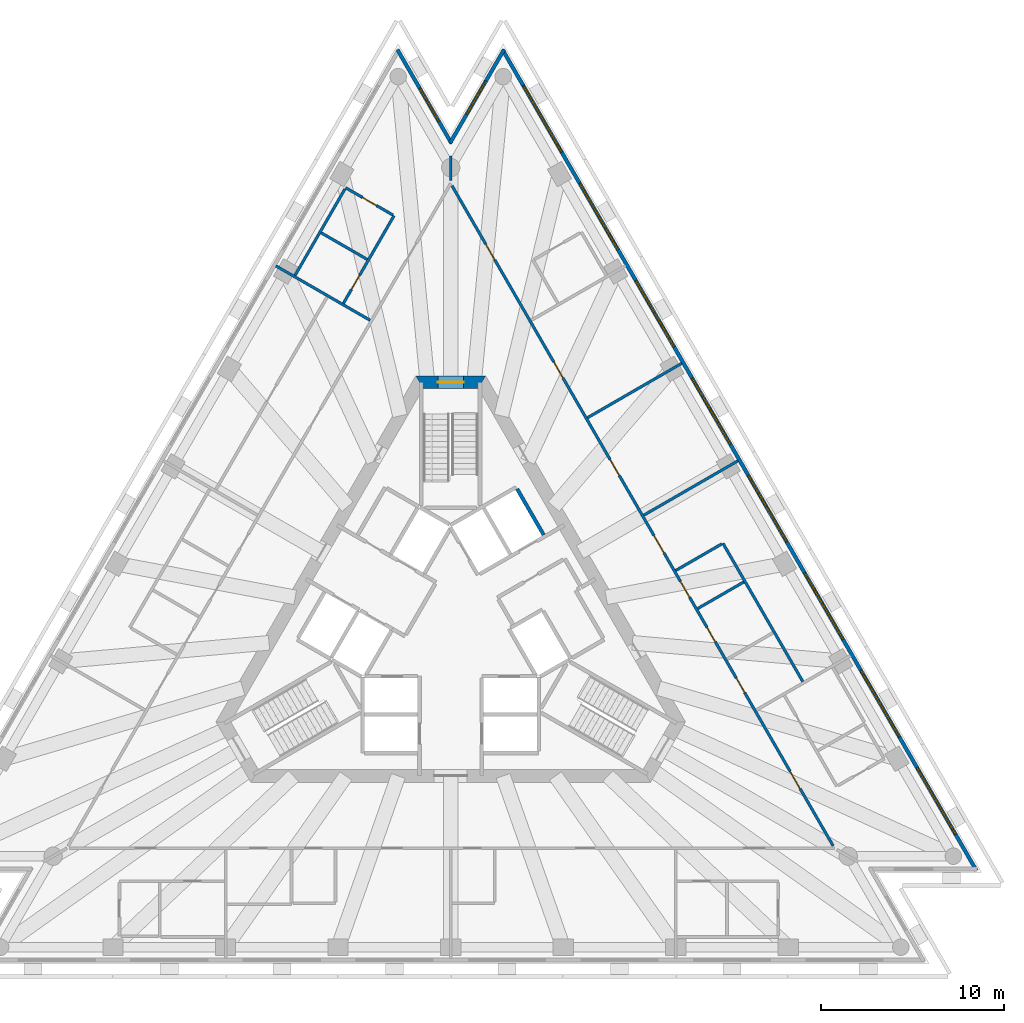
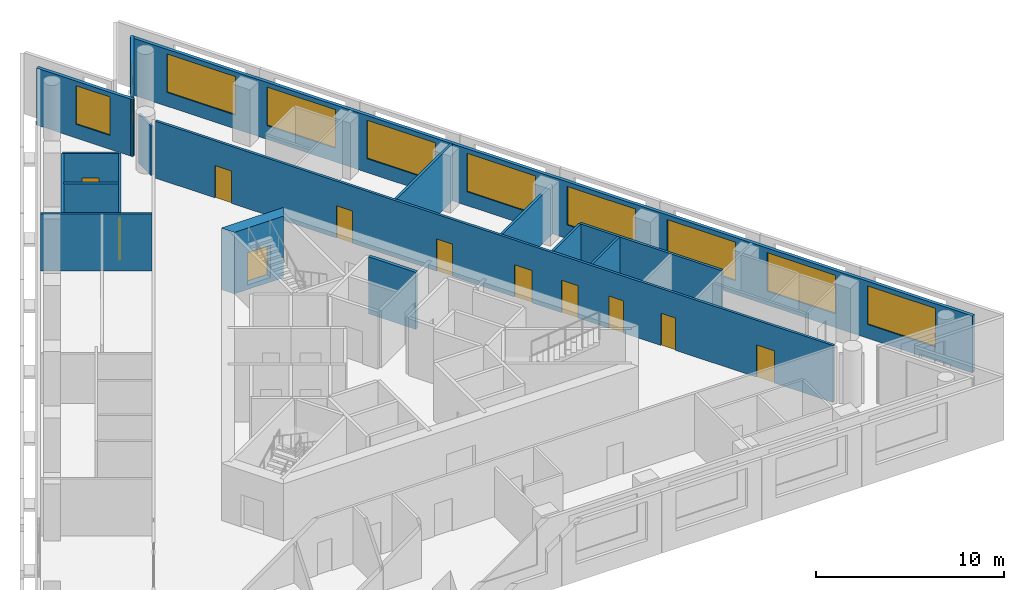
# One storey, part 6 of 9: 17 walls, 11 doors, 10 windows, 21 openings.
"""IFC4 building model written with IfcOpenShell, lengths in metres."""

from ifc_helpers import new_model, si_unit, direction, frame, frame_2d, origin, place, context, subcontext, project, spatial, polyline, rectangle, outline, extrude, material, layer, layer_set, layer_usage, type_object, element, fill, save


model = new_model("IFC4")

# Units and contexts
model_context = context("Model", 3, precision=1e-05, world=origin(), true_north=direction((0.0, 1.0)))
body_context = subcontext(model_context, "Body", "Model", "MODEL_VIEW")
ifc_project = project(units=[si_unit("LENGTHUNIT", "METRE"), si_unit("AREAUNIT", "SQUARE_METRE"), si_unit("VOLUMEUNIT", "CUBIC_METRE"), si_unit("PLANEANGLEUNIT", "RADIAN"), si_unit("MASSUNIT", "GRAM", prefix="KILO")], contexts=[model_context])

# Site, building, storey
site_placement = place(None, origin())
site = spatial("IfcSite", under=ifc_project, at=site_placement, CompositionType="ELEMENT")
building_placement = place(site_placement, origin())
building = spatial("IfcBuilding", under=site, at=building_placement, Name="Triada Interchange Tower", CompositionType="ELEMENT")
storey_placement = place(building_placement, frame((0.0, 0.0, 211.300048828125)))
storey = spatial("IfcBuildingStorey", under=building, at=storey_placement, Name="L49", CompositionType="ELEMENT", Elevation=211.300048828125)

# Wall
ifc_material_1 = material(Name="Concrete C30/37", Category="concrete")
ifc_layer_1 = layer(ifc_material_1, 0.199951171875)
ifc_layer_set_1 = layer_set([ifc_layer_1], Name="CORE WALL 200 EI 120")
wall_type_1 = type_object("IfcWallType", Name="CORE WALL 200 EI 120", PredefinedType="SOLIDWALL", material=ifc_layer_set_1)
wall_1_placement = place(storey_placement, frame((3.6259765625, 7.52001953125, 0.0), z_axis=(0.0, 0.0, 1.0), x_axis=(0.500060147554, -0.865990674793, 0.0)))
element("IfcWall", 1, at=wall_1_placement, inside=storey, type_object=wall_type_1, Name="Wall L47 71", PredefinedType="SOLIDWALL", context=body_context, shape_type="SweptSolid", body=[
    extrude(rectangle(XDim=2.899658203125, YDim=0.199951171875, at=frame_2d((1.44970703125, 0.0))), origin(), (0.0, 0.0, 1.0), 3.699951171875),
])

# Wall, opening, door
ifc_material_2 = material(Name="Concrete C50/60", Category="concrete")
ifc_layer_2 = layer(ifc_material_2, 0.699951171875)
ifc_layer_set_2 = layer_set([ifc_layer_2], Name="Core wall C 700")
wall_type_2 = type_object("IfcWallType", Name="Core wall C 700", PredefinedType="SHEAR", material=ifc_layer_set_2)
wall_2_placement = place(storey_placement, frame((1.702880859375, 13.35009765625, -0.300048828125), z_axis=(0.0, 0.0, 1.0), x_axis=(-1.0, 0.0, 0.0)))
wall_2 = element("IfcWall", 2, at=wall_2_placement, inside=storey, type_object=wall_type_2, Name="Core wall WC01 L49", PredefinedType="SHEAR", context=body_context, shape_type="SweptSolid", body=[
    extrude(outline(polyline([(-0.201904296875, -0.35009765625), (1.703125, -0.35009765625), (3.60791015625, -0.35009765625), (3.2041015625, 0.35009765625), (1.703125, 0.35009765625), (0.201904296875, 0.35009765625), (-0.201904296875, -0.35009765625)])), origin(), (0.0, 0.0, 1.0), 4.0),
])
opening_1_placement = place(wall_2_placement, frame((1.0029296875, 0.0, 0.300048828125)))
opening_1 = element("IfcOpeningElement", 3, at=opening_1_placement, cuts=wall_2, Name="Opening D47-44", PredefinedType="OPENING", context=body_context, shape_type="SweptSolid", body=[
    extrude(rectangle(XDim=1.39990234375, YDim=2.10009765625, at=frame_2d((0.699951171875, 1.050048828125))), frame((0.0, 0.360107421875, 0.0), z_axis=(0.0, -1.0, 0.0), x_axis=(1.0, 0.0, 0.0)), (0.0, 0.0, 1.0), 0.72021484375),
])
ifc_material_3 = material(Name="Steel S235 door leaf", Category="steel")
door_type_1 = type_object("IfcDoorType", Name="STAIR DOOR 1400 EI2 90-C5S200", OperationType="DOUBLE_DOOR_SINGLE_SWING", PredefinedType="DOOR", material=ifc_material_3)
door_1_placement = place(opening_1_placement, origin())
door_1 = element("IfcDoor", 4, at=door_1_placement, inside=storey, type_object=door_type_1, Name="Door D47-44 L49", OperationType="DOUBLE_DOOR_SINGLE_SWING", OverallHeight=2.10009765625, OverallWidth=1.39990234375, PredefinedType="DOOR", context=body_context, shape_type="SweptSolid", body=[
    extrude(rectangle(XDim=1.39990234375, YDim=2.10009765625, at=frame_2d((0.699951171875, 1.050048828125))), frame((0.0, 0.02490234375, 0.0), z_axis=(0.0, -1.0, 0.0), x_axis=(1.0, 0.0, 0.0)), (0.0, 0.0, 1.0), 0.050048828125),
])
fill(opening_1, door_1)

# Wall, openings, windows
ifc_material_4 = material(Name="Cement board")
ifc_layer_3 = layer(ifc_material_4, 0.02001953125, Name="Cement board cladding")
ifc_material_5 = material(Name="Sheathing board")
ifc_layer_4 = layer(ifc_material_5, 0.014892578125, Name="Sheathing board")
ifc_material_6 = material(Name="Mineral wool")
ifc_layer_5 = layer(ifc_material_6, 0.14990234375, Name="Mineral wool between steel studs")
ifc_material_7 = material(Name="Gypsum board")
ifc_layer_6 = layer(ifc_material_7, 0.014892578125, Name="Plasterboard lining")
ifc_layer_set_3 = layer_set([ifc_layer_3, ifc_layer_4, ifc_layer_5, ifc_layer_6], Name="External wall 200")
ifc_layer_usage = layer_usage(ifc_layer_set_3, "AXIS2", "POSITIVE", -0.10009765625)
wall_type_3 = type_object("IfcWallType", Name="External wall 200", PredefinedType="ELEMENTEDWALL", material=ifc_layer_set_3)
wall_3_placement = place(storey_placement, frame((28.7041015625, -13.31103515625, 0.0), z_axis=(0.0, 0.0, 1.0), x_axis=(-0.500010281129, 0.866019467891, 0.0)))
wall_3 = element("IfcWall", 5, at=wall_3_placement, inside=storey, type_object=wall_type_3, material=ifc_layer_usage, Name="External wall L49 NE", PredefinedType="ELEMENTEDWALL", context=body_context, shape_type="SweptSolid", body=[
    extrude(rectangle(XDim=51.7392578125, YDim=0.199951171875, at=frame_2d((25.86962890625, 0.0))), origin(), (0.0, 0.0, 1.0), 3.699951171875),
])
opening_2_placement = place(wall_3_placement, frame((2.27490234375, 0.0, 0.89990234375)))
opening_2 = element("IfcOpeningElement", 6, at=opening_2_placement, cuts=wall_3, Name="Opening WC21", PredefinedType="OPENING", context=body_context, shape_type="SweptSolid", body=[
    extrude(rectangle(XDim=4.199951171875, YDim=2.5, at=frame_2d((2.10009765625, 1.25))), frame((0.0, 0.10986328125, 0.0), z_axis=(0.0, -1.0, 0.0), x_axis=(1.0, 0.0, 0.0)), (0.0, 0.0, 1.0), 0.219970703125),
])
opening_3_placement = place(wall_3_placement, frame((8.4189453125, 0.0, 0.89990234375)))
opening_3 = element("IfcOpeningElement", 7, at=opening_3_placement, cuts=wall_3, Name="Opening WC22", PredefinedType="OPENING", context=body_context, shape_type="SweptSolid", body=[
    extrude(rectangle(XDim=4.199951171875, YDim=2.5, at=frame_2d((2.10009765625, 1.25))), frame((0.0, 0.10986328125, 0.0), z_axis=(0.0, -1.0, 0.0), x_axis=(1.0, 0.0, 0.0)), (0.0, 0.0, 1.0), 0.219970703125),
])
opening_4_placement = place(wall_3_placement, frame((14.56298828125, 0.0, 0.89990234375)))
opening_4 = element("IfcOpeningElement", 8, at=opening_4_placement, cuts=wall_3, Name="Opening WC23", PredefinedType="OPENING", context=body_context, shape_type="SweptSolid", body=[
    extrude(rectangle(XDim=4.199951171875, YDim=2.5, at=frame_2d((2.10009765625, 1.25))), frame((0.0, 0.10986328125, 0.0), z_axis=(0.0, -1.0, 0.0), x_axis=(1.0, 0.0, 0.0)), (0.0, 0.0, 1.0), 0.219970703125),
])
opening_5_placement = place(wall_3_placement, frame((20.70703125, 0.0, 0.89990234375)))
opening_5 = element("IfcOpeningElement", 9, at=opening_5_placement, cuts=wall_3, Name="Opening WC24", PredefinedType="OPENING", context=body_context, shape_type="SweptSolid", body=[
    extrude(rectangle(XDim=4.199951171875, YDim=2.5, at=frame_2d((2.10009765625, 1.25))), frame((0.0, 0.10986328125, 0.0), z_axis=(0.0, -1.0, 0.0), x_axis=(1.0, 0.0, 0.0)), (0.0, 0.0, 1.0), 0.219970703125),
])
opening_6_placement = place(wall_3_placement, frame((26.85205078125, 0.0, 0.89990234375)))
opening_6 = element("IfcOpeningElement", 10, at=opening_6_placement, cuts=wall_3, Name="Opening WC25", PredefinedType="OPENING", context=body_context, shape_type="SweptSolid", body=[
    extrude(rectangle(XDim=4.199951171875, YDim=2.5, at=frame_2d((2.10009765625, 1.25))), frame((0.0, 0.10986328125, 0.0), z_axis=(0.0, -1.0, 0.0), x_axis=(1.0, 0.0, 0.0)), (0.0, 0.0, 1.0), 0.219970703125),
])
opening_7_placement = place(wall_3_placement, frame((32.99609375, 0.0, 0.89990234375)))
opening_7 = element("IfcOpeningElement", 11, at=opening_7_placement, cuts=wall_3, Name="Opening WC26", PredefinedType="OPENING", context=body_context, shape_type="SweptSolid", body=[
    extrude(rectangle(XDim=4.199951171875, YDim=2.5, at=frame_2d((2.10009765625, 1.25))), frame((0.0, 0.10986328125, 0.0), z_axis=(0.0, -1.0, 0.0), x_axis=(1.0, 0.0, 0.0)), (0.0, 0.0, 1.0), 0.219970703125),
])
opening_8_placement = place(wall_3_placement, frame((39.139892578125, 0.0, 0.89990234375)))
opening_8 = element("IfcOpeningElement", 12, at=opening_8_placement, cuts=wall_3, Name="Opening WC27", PredefinedType="OPENING", context=body_context, shape_type="SweptSolid", body=[
    extrude(rectangle(XDim=4.199951171875, YDim=2.5, at=frame_2d((2.10009765625, 1.25))), frame((0.0, 0.10986328125, 0.0), z_axis=(0.0, -1.0, 0.0), x_axis=(1.0, 0.0, 0.0)), (0.0, 0.0, 1.0), 0.219970703125),
])
opening_9_placement = place(wall_3_placement, frame((45.283935546875, 0.0, 0.89990234375)))
opening_9 = element("IfcOpeningElement", 13, at=opening_9_placement, cuts=wall_3, Name="Opening WC28", PredefinedType="OPENING", context=body_context, shape_type="SweptSolid", body=[
    extrude(rectangle(XDim=4.199951171875, YDim=2.5, at=frame_2d((2.10009765625, 1.25))), frame((0.0, 0.10986328125, 0.0), z_axis=(0.0, -1.0, 0.0), x_axis=(1.0, 0.0, 0.0)), (0.0, 0.0, 1.0), 0.219970703125),
])
ifc_material_8 = material(Name="Double glazed aluminium window", Category="aluminium")
window_type_1 = type_object("IfcWindowType", Name="Ribbon window C face", PartitioningType="SINGLE_PANEL", PredefinedType="WINDOW", material=ifc_material_8)
window_1_placement = place(opening_2_placement, origin())
window_1 = element("IfcWindow", 14, at=window_1_placement, inside=storey, type_object=window_type_1, Name="Window L49 NE 1", OverallHeight=2.5, OverallWidth=4.199951171875, PartitioningType="SINGLE_PANEL", PredefinedType="WINDOW", context=body_context, shape_type="SweptSolid", body=[
    extrude(rectangle(XDim=4.199951171875, YDim=2.5, at=frame_2d((2.10009765625, 1.25))), frame((0.0, 0.030029296875, 0.0), z_axis=(0.0, -1.0, 0.0), x_axis=(1.0, 0.0, 0.0)), (0.0, 0.0, 1.0), 0.06005859375),
])
fill(opening_2, window_1)
window_2_placement = place(opening_3_placement, origin())
window_2 = element("IfcWindow", 15, at=window_2_placement, inside=storey, type_object=window_type_1, Name="Window L49 NE 2", OverallHeight=2.5, OverallWidth=4.199951171875, PartitioningType="SINGLE_PANEL", PredefinedType="WINDOW", context=body_context, shape_type="SweptSolid", body=[
    extrude(rectangle(XDim=4.199951171875, YDim=2.5, at=frame_2d((2.10009765625, 1.25))), frame((0.0, 0.030029296875, 0.0), z_axis=(0.0, -1.0, 0.0), x_axis=(1.0, 0.0, 0.0)), (0.0, 0.0, 1.0), 0.06005859375),
])
fill(opening_3, window_2)
window_3_placement = place(opening_4_placement, origin())
window_3 = element("IfcWindow", 16, at=window_3_placement, inside=storey, type_object=window_type_1, Name="Window L49 NE 3", OverallHeight=2.5, OverallWidth=4.199951171875, PartitioningType="SINGLE_PANEL", PredefinedType="WINDOW", context=body_context, shape_type="SweptSolid", body=[
    extrude(rectangle(XDim=4.199951171875, YDim=2.5, at=frame_2d((2.10009765625, 1.25))), frame((0.0, 0.030029296875, 0.0), z_axis=(0.0, -1.0, 0.0), x_axis=(1.0, 0.0, 0.0)), (0.0, 0.0, 1.0), 0.06005859375),
])
fill(opening_4, window_3)
window_4_placement = place(opening_5_placement, origin())
window_4 = element("IfcWindow", 17, at=window_4_placement, inside=storey, type_object=window_type_1, Name="Window L49 NE 4", OverallHeight=2.5, OverallWidth=4.199951171875, PartitioningType="SINGLE_PANEL", PredefinedType="WINDOW", context=body_context, shape_type="SweptSolid", body=[
    extrude(rectangle(XDim=4.199951171875, YDim=2.5, at=frame_2d((2.10009765625, 1.25))), frame((0.0, 0.030029296875, 0.0), z_axis=(0.0, -1.0, 0.0), x_axis=(1.0, 0.0, 0.0)), (0.0, 0.0, 1.0), 0.06005859375),
])
fill(opening_5, window_4)
window_5_placement = place(opening_6_placement, origin())
window_5 = element("IfcWindow", 18, at=window_5_placement, inside=storey, type_object=window_type_1, Name="Window L49 NE 5", OverallHeight=2.5, OverallWidth=4.199951171875, PartitioningType="SINGLE_PANEL", PredefinedType="WINDOW", context=body_context, shape_type="SweptSolid", body=[
    extrude(rectangle(XDim=4.199951171875, YDim=2.5, at=frame_2d((2.10009765625, 1.25))), frame((0.0, 0.030029296875, 0.0), z_axis=(0.0, -1.0, 0.0), x_axis=(1.0, 0.0, 0.0)), (0.0, 0.0, 1.0), 0.06005859375),
])
fill(opening_6, window_5)
window_6_placement = place(opening_7_placement, origin())
window_6 = element("IfcWindow", 19, at=window_6_placement, inside=storey, type_object=window_type_1, Name="Window L49 NE 6", OverallHeight=2.5, OverallWidth=4.199951171875, PartitioningType="SINGLE_PANEL", PredefinedType="WINDOW", context=body_context, shape_type="SweptSolid", body=[
    extrude(rectangle(XDim=4.199951171875, YDim=2.5, at=frame_2d((2.10009765625, 1.25))), frame((0.0, 0.030029296875, 0.0), z_axis=(0.0, -1.0, 0.0), x_axis=(1.0, 0.0, 0.0)), (0.0, 0.0, 1.0), 0.06005859375),
])
fill(opening_7, window_6)
window_7_placement = place(opening_8_placement, origin())
window_7 = element("IfcWindow", 20, at=window_7_placement, inside=storey, type_object=window_type_1, Name="Window L49 NE 7", OverallHeight=2.5, OverallWidth=4.199951171875, PartitioningType="SINGLE_PANEL", PredefinedType="WINDOW", context=body_context, shape_type="SweptSolid", body=[
    extrude(rectangle(XDim=4.199951171875, YDim=2.5, at=frame_2d((2.10009765625, 1.25))), frame((0.0, 0.030029296875, 0.0), z_axis=(0.0, -1.0, 0.0), x_axis=(1.0, 0.0, 0.0)), (0.0, 0.0, 1.0), 0.06005859375),
])
fill(opening_8, window_7)
window_8_placement = place(opening_9_placement, origin())
window_8 = element("IfcWindow", 21, at=window_8_placement, inside=storey, type_object=window_type_1, Name="Window L49 NE 8", OverallHeight=2.5, OverallWidth=4.199951171875, PartitioningType="SINGLE_PANEL", PredefinedType="WINDOW", context=body_context, shape_type="SweptSolid", body=[
    extrude(rectangle(XDim=4.199951171875, YDim=2.5, at=frame_2d((2.10009765625, 1.25))), frame((0.0, 0.030029296875, 0.0), z_axis=(0.0, -1.0, 0.0), x_axis=(1.0, 0.0, 0.0)), (0.0, 0.0, 1.0), 0.06005859375),
])
fill(opening_9, window_8)

# Wall, opening, window
wall_4_placement = place(storey_placement, frame((2.9140625, 31.512939453125, 0.0), z_axis=(0.0, 0.0, 1.0), x_axis=(-0.500061696128, -0.865989780578, 0.0)))
wall_4 = element("IfcWall", 22, at=wall_4_placement, inside=storey, type_object=wall_type_3, material=ifc_layer_usage, Name="External wall L49 N-1", PredefinedType="ELEMENTEDWALL", context=body_context, shape_type="SweptSolid", body=[
    extrude(rectangle(XDim=5.897216796875, YDim=0.199951171875, at=frame_2d((2.94873046875, 0.0))), origin(), (0.0, 0.0, 1.0), 3.699951171875),
])
opening_10_placement = place(wall_4_placement, frame((1.989990234375, 0.0, 0.89990234375)))
opening_10 = element("IfcOpeningElement", 23, at=opening_10_placement, cuts=wall_4, Name="Opening WC29", PredefinedType="OPENING", context=body_context, shape_type="SweptSolid", body=[
    extrude(rectangle(XDim=2.10009765625, YDim=2.5, at=frame_2d((1.050048828125, 1.25))), frame((0.0, 0.10986328125, 0.0), z_axis=(0.0, -1.0, 0.0), x_axis=(1.0, 0.0, 0.0)), (0.0, 0.0, 1.0), 0.219970703125),
])
window_type_2 = type_object("IfcWindowType", Name="Ribbon window C pocket", PartitioningType="SINGLE_PANEL", PredefinedType="WINDOW", material=ifc_material_8)
window_9_placement = place(opening_10_placement, origin())
window_9 = element("IfcWindow", 24, at=window_9_placement, inside=storey, type_object=window_type_2, Name="Window L49 N-1 1", OverallHeight=2.5, OverallWidth=2.10009765625, PartitioningType="SINGLE_PANEL", PredefinedType="WINDOW", context=body_context, shape_type="SweptSolid", body=[
    extrude(rectangle(XDim=2.10009765625, YDim=2.5, at=frame_2d((1.050048828125, 1.25))), frame((0.0, 0.030029296875, 0.0), z_axis=(0.0, -1.0, 0.0), x_axis=(1.0, 0.0, 0.0)), (0.0, 0.0, 1.0), 0.06005859375),
])
fill(opening_10, window_9)

wall_5_placement = place(storey_placement, frame((0.044921875, 26.388916015625, 0.0), z_axis=(0.0, 0.0, 1.0), x_axis=(-0.500043768782, 0.866000132391, 0.0)))
wall_5 = element("IfcWall", 25, at=wall_5_placement, inside=storey, type_object=wall_type_3, material=ifc_layer_usage, Name="External wall L49 N-2", PredefinedType="ELEMENTEDWALL", context=body_context, shape_type="SweptSolid", body=[
    extrude(rectangle(XDim=5.8974609375, YDim=0.199951171875, at=frame_2d((2.94873046875, 0.0))), origin(), (0.0, 0.0, 1.0), 3.699951171875),
])
opening_11_placement = place(wall_5_placement, frame((1.389892578125, 0.0, 0.89990234375)))
opening_11 = element("IfcOpeningElement", 26, at=opening_11_placement, cuts=wall_5, Name="Opening WC30", PredefinedType="OPENING", context=body_context, shape_type="SweptSolid", body=[
    extrude(rectangle(XDim=2.10009765625, YDim=2.5, at=frame_2d((1.050048828125, 1.25))), frame((0.0, 0.10986328125, 0.0), z_axis=(0.0, -1.0, 0.0), x_axis=(1.0, 0.0, 0.0)), (0.0, 0.0, 1.0), 0.219970703125),
])
window_10_placement = place(opening_11_placement, origin())
window_10 = element("IfcWindow", 27, at=window_10_placement, inside=storey, type_object=window_type_2, Name="Window L49 N-2 1", OverallHeight=2.5, OverallWidth=2.10009765625, PartitioningType="SINGLE_PANEL", PredefinedType="WINDOW", context=body_context, shape_type="SweptSolid", body=[
    extrude(rectangle(XDim=2.10009765625, YDim=2.5, at=frame_2d((1.050048828125, 1.25))), frame((0.0, 0.030029296875, 0.0), z_axis=(0.0, -1.0, 0.0), x_axis=(1.0, 0.0, 0.0)), (0.0, 0.0, 1.0), 0.06005859375),
])
fill(opening_11, window_10)

# Walls
ifc_material_9 = material(Name="Gypsum board partition")
ifc_layer_7 = layer(ifc_material_9, 0.14990234375)
ifc_layer_set_4 = layer_set([ifc_layer_7], Name="PARTITION 150 EI 180")
wall_type_4 = type_object("IfcWallType", Name="PARTITION 150 EI 180", PredefinedType="PARTITIONING", material=ifc_layer_set_4)
wall_6_placement = place(storey_placement, frame((10.5439453125, 6.0869140625, 0.0), z_axis=(0.0, 0.0, 1.0), x_axis=(0.866016753976, 0.500014981608, 0.0)))
element("IfcWall", 28, at=wall_6_placement, inside=storey, type_object=wall_type_4, Name="Wall L47 2", PredefinedType="PARTITIONING", context=body_context, shape_type="SweptSolid", body=[
    extrude(rectangle(XDim=5.947998046875, YDim=0.14990234375, at=frame_2d((2.97412109375, 0.0))), origin(), (0.0, 0.0, 1.0), 3.199951171875),
])
wall_7_placement = place(storey_placement, frame((-9.550048828125, 19.702880859375, 0.0), z_axis=(0.0, 0.0, 1.0), x_axis=(0.866064581528, -0.499932136017, 0.0)))
element("IfcWall", 29, at=wall_7_placement, inside=storey, type_object=wall_type_4, Name="Wall L47 15", PredefinedType="PARTITIONING", context=body_context, shape_type="SweptSolid", body=[
    extrude(rectangle(XDim=5.946533203125, YDim=0.14990234375, at=frame_2d((2.97314453125, 0.0))), origin(), (0.0, 0.0, 1.0), 3.699951171875),
])
wall_8_placement = place(storey_placement, frame((0.0, 24.35009765625, 0.0), z_axis=(0.0, 0.0, 1.0), x_axis=(0.0, 1.0, 0.0)))
element("IfcWall", 30, at=wall_8_placement, inside=storey, type_object=wall_type_4, Name="Wall L47 20", PredefinedType="PARTITIONING", context=body_context, shape_type="SweptSolid", body=[
    extrude(rectangle(XDim=1.3369140625, YDim=0.14990234375, at=frame_2d((0.66845703125, 0.0))), origin(), (0.0, 0.0, 1.0), 3.199951171875),
])

# Wall, openings, doors
wall_9_placement = place(storey_placement, frame((0.074951171875, 24.070068359375, 0.0), z_axis=(0.0, 0.0, 1.0), x_axis=(0.500006834213, -0.866021458014, 0.0)))
wall_9 = element("IfcWall", 31, at=wall_9_placement, inside=storey, type_object=wall_type_4, Name="Wall L47 22", PredefinedType="PARTITIONING", context=body_context, shape_type="SweptSolid", body=[
    extrude(rectangle(XDim=41.61572265625, YDim=0.14990234375, at=frame_2d((20.807861328125, 0.0))), origin(), (0.0, 0.0, 1.0), 3.699951171875),
])
opening_12_placement = place(wall_9_placement, frame((36.9150390625, 0.0, 0.0)))
opening_12 = element("IfcOpeningElement", 32, at=opening_12_placement, cuts=wall_9, Name="Opening D47-22", PredefinedType="OPENING", context=body_context, shape_type="SweptSolid", body=[
    extrude(rectangle(XDim=1.10009765625, YDim=2.10009765625, at=frame_2d((0.550048828125, 1.050048828125))), frame((0.0, 0.0849609375, 0.0), z_axis=(0.0, -1.0, 0.0), x_axis=(1.0, 0.0, 0.0)), (0.0, 0.0, 1.0), 0.169921875),
])
opening_13_placement = place(wall_9_placement, frame((22.0458984375, 0.0, 0.0)))
opening_13 = element("IfcOpeningElement", 33, at=opening_13_placement, cuts=wall_9, Name="Opening D47-25", PredefinedType="OPENING", context=body_context, shape_type="SweptSolid", body=[
    extrude(rectangle(XDim=1.10009765625, YDim=2.10009765625, at=frame_2d((0.550048828125, 1.050048828125))), frame((0.0, 0.0849609375, 0.0), z_axis=(0.0, -1.0, 0.0), x_axis=(1.0, 0.0, 0.0)), (0.0, 0.0, 1.0), 0.169921875),
])
opening_14_placement = place(wall_9_placement, frame((31.0458984375, 0.0, 0.0)))
opening_14 = element("IfcOpeningElement", 34, at=opening_14_placement, cuts=wall_9, Name="Opening D47-26", PredefinedType="OPENING", context=body_context, shape_type="SweptSolid", body=[
    extrude(rectangle(XDim=0.89990234375, YDim=2.10009765625, at=frame_2d((0.449951171875, 1.050048828125))), frame((0.0, 0.0849609375, 0.0), z_axis=(0.0, -1.0, 0.0), x_axis=(1.0, 0.0, 0.0)), (0.0, 0.0, 1.0), 0.169921875),
])
opening_15_placement = place(wall_9_placement, frame((27.845947265625, 0.0, 0.0)))
opening_15 = element("IfcOpeningElement", 35, at=opening_15_placement, cuts=wall_9, Name="Opening D47-27", PredefinedType="OPENING", context=body_context, shape_type="SweptSolid", body=[
    extrude(rectangle(XDim=0.89990234375, YDim=2.10009765625, at=frame_2d((0.449951171875, 1.050048828125))), frame((0.0, 0.0849609375, 0.0), z_axis=(0.0, -1.0, 0.0), x_axis=(1.0, 0.0, 0.0)), (0.0, 0.0, 1.0), 0.169921875),
])
opening_16_placement = place(wall_9_placement, frame((24.946044921875, 0.0, 0.0)))
opening_16 = element("IfcOpeningElement", 36, at=opening_16_placement, cuts=wall_9, Name="Opening D47-28", PredefinedType="OPENING", context=body_context, shape_type="SweptSolid", body=[
    extrude(rectangle(XDim=1.0, YDim=2.10009765625, at=frame_2d((0.5, 1.050048828125))), frame((0.0, 0.0849609375, 0.0), z_axis=(0.0, -1.0, 0.0), x_axis=(1.0, 0.0, 0.0)), (0.0, 0.0, 1.0), 0.169921875),
])
opening_17_placement = place(wall_9_placement, frame((17.258056640625, 0.0, 0.0)))
opening_17 = element("IfcOpeningElement", 37, at=opening_17_placement, cuts=wall_9, Name="Opening D47-29", PredefinedType="OPENING", context=body_context, shape_type="SweptSolid", body=[
    extrude(rectangle(XDim=1.0, YDim=2.10009765625, at=frame_2d((0.5, 1.050048828125))), frame((0.0, 0.0849609375, 0.0), z_axis=(0.0, -1.0, 0.0), x_axis=(1.0, 0.0, 0.0)), (0.0, 0.0, 1.0), 0.169921875),
])
opening_18_placement = place(wall_9_placement, frame((11.114013671875, 0.0, 0.0)))
opening_18 = element("IfcOpeningElement", 38, at=opening_18_placement, cuts=wall_9, Name="Opening D47-30", PredefinedType="OPENING", context=body_context, shape_type="SweptSolid", body=[
    extrude(rectangle(XDim=1.0, YDim=2.10009765625, at=frame_2d((0.5, 1.050048828125))), frame((0.0, 0.0849609375, 0.0), z_axis=(0.0, -1.0, 0.0), x_axis=(1.0, 0.0, 0.0)), (0.0, 0.0, 1.0), 0.169921875),
])
opening_19_placement = place(wall_9_placement, frame((3.6689453125, 0.0, 0.0)))
opening_19 = element("IfcOpeningElement", 39, at=opening_19_placement, cuts=wall_9, Name="Opening D47-31", PredefinedType="OPENING", context=body_context, shape_type="SweptSolid", body=[
    extrude(rectangle(XDim=1.0, YDim=2.10009765625, at=frame_2d((0.5, 1.050048828125))), frame((0.0, 0.0849609375, 0.0), z_axis=(0.0, -1.0, 0.0), x_axis=(1.0, 0.0, 0.0)), (0.0, 0.0, 1.0), 0.169921875),
])
door_type_2 = type_object("IfcDoorType", Name="ROOM DOOR 1000 EI2 90-C5S200", OperationType="NOTDEFINED", PredefinedType="DOOR", material=ifc_material_3)
door_2_placement = place(opening_16_placement, origin())
door_2 = element("IfcDoor", 40, at=door_2_placement, inside=storey, type_object=door_type_2, Name="Door D47-28 L49", OperationType="SINGLE_SWING_RIGHT", OverallHeight=2.10009765625, OverallWidth=1.0, PredefinedType="DOOR", context=body_context, shape_type="SweptSolid", body=[
    extrude(rectangle(XDim=1.0, YDim=2.10009765625, at=frame_2d((0.5, 1.050048828125))), frame((0.0, 0.02490234375, 0.0), z_axis=(0.0, -1.0, 0.0), x_axis=(1.0, 0.0, 0.0)), (0.0, 0.0, 1.0), 0.050048828125),
])
fill(opening_16, door_2)
door_3_placement = place(opening_17_placement, origin())
door_3 = element("IfcDoor", 41, at=door_3_placement, inside=storey, type_object=door_type_2, Name="Door D47-29 L49", OperationType="SINGLE_SWING_LEFT", OverallHeight=2.10009765625, OverallWidth=1.0, PredefinedType="DOOR", context=body_context, shape_type="SweptSolid", body=[
    extrude(rectangle(XDim=1.0, YDim=2.10009765625, at=frame_2d((0.5, 1.050048828125))), frame((0.0, 0.02490234375, 0.0), z_axis=(0.0, -1.0, 0.0), x_axis=(1.0, 0.0, 0.0)), (0.0, 0.0, 1.0), 0.050048828125),
])
fill(opening_17, door_3)
door_4_placement = place(opening_18_placement, origin())
door_4 = element("IfcDoor", 42, at=door_4_placement, inside=storey, type_object=door_type_2, Name="Door D47-30 L49", OperationType="SINGLE_SWING_LEFT", OverallHeight=2.10009765625, OverallWidth=1.0, PredefinedType="DOOR", context=body_context, shape_type="SweptSolid", body=[
    extrude(rectangle(XDim=1.0, YDim=2.10009765625, at=frame_2d((0.5, 1.050048828125))), frame((0.0, 0.02490234375, 0.0), z_axis=(0.0, -1.0, 0.0), x_axis=(1.0, 0.0, 0.0)), (0.0, 0.0, 1.0), 0.050048828125),
])
fill(opening_18, door_4)
door_5_placement = place(opening_19_placement, origin())
door_5 = element("IfcDoor", 43, at=door_5_placement, inside=storey, type_object=door_type_2, Name="Door D47-31 L49", OperationType="SINGLE_SWING_LEFT", OverallHeight=2.10009765625, OverallWidth=1.0, PredefinedType="DOOR", context=body_context, shape_type="SweptSolid", body=[
    extrude(rectangle(XDim=1.0, YDim=2.10009765625, at=frame_2d((0.5, 1.050048828125))), frame((0.0, 0.02490234375, 0.0), z_axis=(0.0, -1.0, 0.0), x_axis=(1.0, 0.0, 0.0)), (0.0, 0.0, 1.0), 0.050048828125),
])
fill(opening_19, door_5)
door_type_3 = type_object("IfcDoorType", Name="ROOM DOOR 900 EI2 90-C5S200", OperationType="NOTDEFINED", PredefinedType="DOOR", material=ifc_material_3)
door_6_placement = place(opening_14_placement, origin())
door_6 = element("IfcDoor", 44, at=door_6_placement, inside=storey, type_object=door_type_3, Name="Door D47-26 L49", OperationType="SINGLE_SWING_RIGHT", OverallHeight=2.10009765625, OverallWidth=0.89990234375, PredefinedType="DOOR", context=body_context, shape_type="SweptSolid", body=[
    extrude(rectangle(XDim=0.89990234375, YDim=2.10009765625, at=frame_2d((0.449951171875, 1.050048828125))), frame((0.0, 0.02490234375, 0.0), z_axis=(0.0, -1.0, 0.0), x_axis=(1.0, 0.0, 0.0)), (0.0, 0.0, 1.0), 0.050048828125),
])
fill(opening_14, door_6)
door_7_placement = place(opening_15_placement, origin())
door_7 = element("IfcDoor", 45, at=door_7_placement, inside=storey, type_object=door_type_3, Name="Door D47-27 L49", OperationType="SINGLE_SWING_RIGHT", OverallHeight=2.10009765625, OverallWidth=0.89990234375, PredefinedType="DOOR", context=body_context, shape_type="SweptSolid", body=[
    extrude(rectangle(XDim=0.89990234375, YDim=2.10009765625, at=frame_2d((0.449951171875, 1.050048828125))), frame((0.0, 0.02490234375, 0.0), z_axis=(0.0, -1.0, 0.0), x_axis=(1.0, 0.0, 0.0)), (0.0, 0.0, 1.0), 0.050048828125),
])
fill(opening_15, door_7)
door_type_4 = type_object("IfcDoorType", Name="TENANCY ENTRANCE DOOR 1100 EI2 90-C5S200", OperationType="NOTDEFINED", PredefinedType="DOOR", material=ifc_material_3)
door_8_placement = place(opening_12_placement, origin())
door_8 = element("IfcDoor", 46, at=door_8_placement, inside=storey, type_object=door_type_4, Name="Door D47-22 L49", OperationType="SINGLE_SWING_RIGHT", OverallHeight=2.10009765625, OverallWidth=1.10009765625, PredefinedType="DOOR", context=body_context, shape_type="SweptSolid", body=[
    extrude(rectangle(XDim=1.10009765625, YDim=2.10009765625, at=frame_2d((0.550048828125, 1.050048828125))), frame((0.0, 0.02490234375, 0.0), z_axis=(0.0, -1.0, 0.0), x_axis=(1.0, 0.0, 0.0)), (0.0, 0.0, 1.0), 0.050048828125),
])
fill(opening_12, door_8)
door_9_placement = place(opening_13_placement, origin())
door_9 = element("IfcDoor", 47, at=door_9_placement, inside=storey, type_object=door_type_4, Name="Door D47-25 L49", OperationType="SINGLE_SWING_LEFT", OverallHeight=2.10009765625, OverallWidth=1.10009765625, PredefinedType="DOOR", context=body_context, shape_type="SweptSolid", body=[
    extrude(rectangle(XDim=1.10009765625, YDim=2.10009765625, at=frame_2d((0.550048828125, 1.050048828125))), frame((0.0, 0.02490234375, 0.0), z_axis=(0.0, -1.0, 0.0), x_axis=(1.0, 0.0, 0.0)), (0.0, 0.0, 1.0), 0.050048828125),
])
fill(opening_13, door_9)

# Walls
wall_10_placement = place(storey_placement, frame((7.471923828125, 11.408935546875, 0.0), z_axis=(0.0, 0.0, 1.0), x_axis=(0.866046805426, 0.499962929437, 0.0)))
element("IfcWall", 48, at=wall_10_placement, inside=storey, type_object=wall_type_4, Name="Wall L47 24", PredefinedType="PARTITIONING", context=body_context, shape_type="SweptSolid", body=[
    extrude(rectangle(XDim=5.94677734375, YDim=0.14990234375, at=frame_2d((2.973388671875, 0.0))), origin(), (0.0, 0.0, 1.0), 3.699951171875),
])
wall_11_placement = place(storey_placement, frame((14.864990234375, 4.553955078125, 0.0), z_axis=(0.0, 0.0, 1.0), x_axis=(0.500054279689, -0.865994063124, 0.0)))
element("IfcWall", 49, at=wall_11_placement, inside=storey, type_object=wall_type_4, Name="Wall L47 25", PredefinedType="PARTITIONING", context=body_context, shape_type="SweptSolid", body=[
    extrude(rectangle(XDim=8.72509765625, YDim=0.14990234375, at=frame_2d((4.362548828125, 0.0))), origin(), (0.0, 0.0, 1.0), 3.699951171875),
])
wall_12_placement = place(storey_placement, frame((12.2880859375, 3.06591796875, 0.0), z_axis=(0.0, 0.0, 1.0), x_axis=(0.865976813117, 0.500084152062, 0.0)))
element("IfcWall", 50, at=wall_12_placement, inside=storey, type_object=wall_type_4, Name="Wall L47 26", PredefinedType="PARTITIONING", context=body_context, shape_type="SweptSolid", body=[
    extrude(rectangle(XDim=2.90185546875, YDim=0.14990234375, at=frame_2d((1.450927734375, 0.0))), origin(), (0.0, 0.0, 1.0), 3.699951171875),
])
wall_13_placement = place(storey_placement, frame((13.488037109375, 0.988037109375, 0.0), z_axis=(0.0, 0.0, 1.0), x_axis=(0.866158966803, 0.499768590677, 0.0)))
element("IfcWall", 51, at=wall_13_placement, inside=storey, type_object=wall_type_4, Name="Wall L47 28", PredefinedType="PARTITIONING", context=body_context, shape_type="SweptSolid", body=[
    extrude(rectangle(XDim=2.901123046875, YDim=0.14990234375, at=frame_2d((1.45068359375, 0.0))), origin(), (0.0, 0.0, 1.0), 3.699951171875),
])

# Wall, opening, door
ifc_layer_8 = layer(ifc_material_9, 0.14990234375)
ifc_layer_set_5 = layer_set([ifc_layer_8], Name="PARTITION 150 EI 90")
wall_type_5 = type_object("IfcWallType", Name="PARTITION 150 EI 90", PredefinedType="PARTITIONING", material=ifc_layer_set_5)
wall_14_placement = place(storey_placement, frame((-5.85595703125, 17.656982421875, 0.0), z_axis=(0.0, 0.0, 1.0), x_axis=(0.499917542299, 0.866073005526, 0.0)))
wall_14 = element("IfcWall", 52, at=wall_14_placement, inside=storey, type_object=wall_type_5, Name="Wall L47 39", PredefinedType="PARTITIONING", context=body_context, shape_type="SweptSolid", body=[
    extrude(rectangle(XDim=5.52490234375, YDim=0.14990234375, at=frame_2d((2.762451171875, 0.0))), origin(), (0.0, 0.0, 1.0), 3.699951171875),
])
opening_20_placement = place(wall_14_placement, frame((0.875, 0.0, 0.0)))
opening_20 = element("IfcOpeningElement", 53, at=opening_20_placement, cuts=wall_14, Name="Opening D47-34", PredefinedType="OPENING", context=body_context, shape_type="SweptSolid", body=[
    extrude(rectangle(XDim=0.89990234375, YDim=2.10009765625, at=frame_2d((0.449951171875, 1.050048828125))), frame((0.0, 0.0849609375, 0.0), z_axis=(0.0, -1.0, 0.0), x_axis=(1.0, 0.0, 0.0)), (0.0, 0.0, 1.0), 0.169921875),
])
door_type_5 = type_object("IfcDoorType", Name="ROOM DOOR 900 EI2 45-C5S200", OperationType="NOTDEFINED", PredefinedType="DOOR", material=ifc_material_3)
door_10_placement = place(opening_20_placement, origin())
door_10 = element("IfcDoor", 54, at=door_10_placement, inside=storey, type_object=door_type_5, Name="Door D47-34 L49", OperationType="SINGLE_SWING_LEFT", OverallHeight=2.10009765625, OverallWidth=0.89990234375, PredefinedType="DOOR", context=body_context, shape_type="SweptSolid", body=[
    extrude(rectangle(XDim=0.89990234375, YDim=2.10009765625, at=frame_2d((0.449951171875, 1.050048828125))), frame((0.0, 0.02490234375, 0.0), z_axis=(0.0, -1.0, 0.0), x_axis=(1.0, 0.0, 0.0)), (0.0, 0.0, 1.0), 0.050048828125),
])
fill(opening_20, door_10)

wall_15_placement = place(storey_placement, frame((-5.736083984375, 23.967041015625, 0.0), z_axis=(0.0, 0.0, 1.0), x_axis=(0.866007976609, -0.500030183538, 0.0)))
wall_15 = element("IfcWall", 55, at=wall_15_placement, inside=storey, type_object=wall_type_5, Name="Wall L47 40", PredefinedType="PARTITIONING", context=body_context, shape_type="SweptSolid", body=[
    extrude(rectangle(XDim=2.975830078125, YDim=0.14990234375, at=frame_2d((1.48779296875, 0.0))), origin(), (0.0, 0.0, 1.0), 3.699951171875),
])
opening_21_placement = place(wall_15_placement, frame((1.050048828125, 0.0, 0.0)))
opening_21 = element("IfcOpeningElement", 56, at=opening_21_placement, cuts=wall_15, Name="Opening D47-35", PredefinedType="OPENING", context=body_context, shape_type="SweptSolid", body=[
    extrude(rectangle(XDim=0.89990234375, YDim=2.10009765625, at=frame_2d((0.449951171875, 1.050048828125))), frame((0.0, 0.0849609375, 0.0), z_axis=(0.0, -1.0, 0.0), x_axis=(1.0, 0.0, 0.0)), (0.0, 0.0, 1.0), 0.169921875),
])
door_11_placement = place(opening_21_placement, origin())
door_11 = element("IfcDoor", 57, at=door_11_placement, inside=storey, type_object=door_type_5, Name="Door D47-35 L49", OperationType="SINGLE_SWING_RIGHT", OverallHeight=2.10009765625, OverallWidth=0.89990234375, PredefinedType="DOOR", context=body_context, shape_type="SweptSolid", body=[
    extrude(rectangle(XDim=0.89990234375, YDim=2.10009765625, at=frame_2d((0.449951171875, 1.050048828125))), frame((0.0, 0.02490234375, 0.0), z_axis=(0.0, -1.0, 0.0), x_axis=(1.0, 0.0, 0.0)), (0.0, 0.0, 1.0), 0.050048828125),
])
fill(opening_21, door_11)

# Walls
wall_16_placement = place(storey_placement, frame((-8.498046875, 19.181884765625, 0.0), z_axis=(0.0, 0.0, 1.0), x_axis=(0.499983534837, 0.866034909742, 0.0)))
element("IfcWall", 58, at=wall_16_placement, inside=storey, type_object=wall_type_5, Name="Wall L47 41", PredefinedType="PARTITIONING", context=body_context, shape_type="SweptSolid", body=[
    extrude(rectangle(XDim=5.450439453125, YDim=0.14990234375, at=frame_2d((2.72509765625, 0.0))), origin(), (0.0, 0.0, 1.0), 3.699951171875),
])
wall_17_placement = place(storey_placement, frame((-7.071044921875, 21.5048828125, 0.0), z_axis=(0.0, 0.0, 1.0), x_axis=(0.865929066901, -0.500166823267, 0.0)))
element("IfcWall", 59, at=wall_17_placement, inside=storey, type_object=wall_type_5, Name="Wall L47 42", PredefinedType="PARTITIONING", context=body_context, shape_type="SweptSolid", body=[
    extrude(rectangle(XDim=2.90087890625, YDim=0.14990234375, at=frame_2d((1.450439453125, 0.0))), origin(), (0.0, 0.0, 1.0), 3.699951171875),
])

save(model, "model.ifc")
